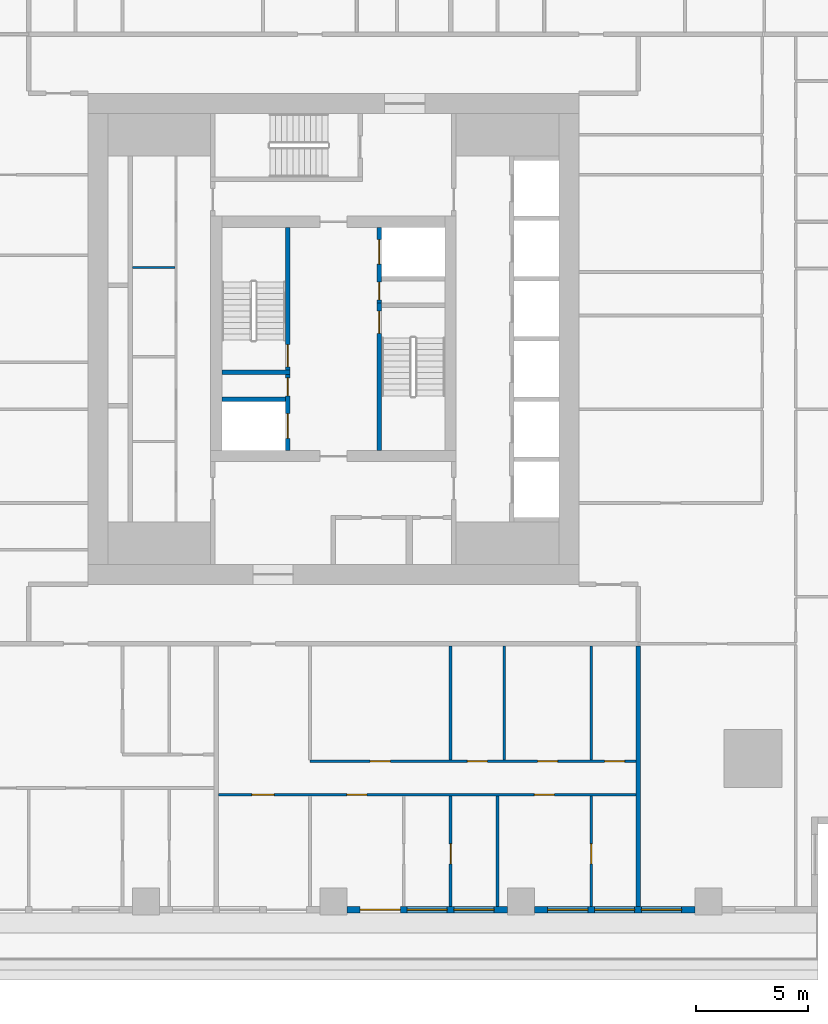
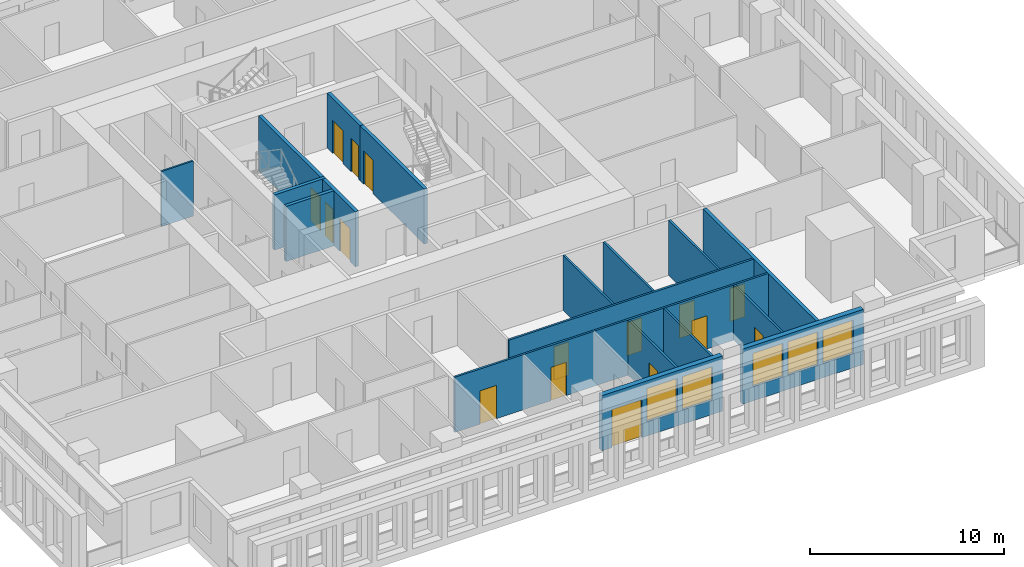
# One storey, part 4 of 15: 18 walls, 16 doors, 5 windows, 21 openings.
"""IFC4 building model written with IfcOpenShell, lengths in metres."""

from ifc_helpers import new_model, si_unit, direction, frame, frame_2d, origin, place, context, subcontext, project, spatial, rectangle, extrude, material, layer, layer_set, type_object, element, fill, save


model = new_model("IFC4")

# Units and contexts
model_context = context("Model", 3, precision=1e-05, world=origin(), true_north=direction((0.0, 1.0)))
body_context = subcontext(model_context, "Body", "Model", "MODEL_VIEW")
ifc_project = project(units=[si_unit("LENGTHUNIT", "METRE"), si_unit("AREAUNIT", "SQUARE_METRE"), si_unit("VOLUMEUNIT", "CUBIC_METRE"), si_unit("PLANEANGLEUNIT", "RADIAN"), si_unit("MASSUNIT", "GRAM", prefix="KILO")], contexts=[model_context])

# Site, building, storey
site_placement = place(None, origin())
site = spatial("IfcSite", under=ifc_project, at=site_placement, CompositionType="ELEMENT")
building_placement = place(site_placement, origin())
building = spatial("IfcBuilding", under=site, at=building_placement, Name="Khepri Terraces", CompositionType="ELEMENT")
storey_placement = place(building_placement, frame((0.0, 0.0, 165.0)))
storey = spatial("IfcBuildingStorey", under=building, at=storey_placement, Name="L39", CompositionType="ELEMENT", Elevation=165.0)

# Wall, opening, door
ifc_material_1 = material(Name="Concrete C60/75", Category="concrete")
ifc_layer_1 = layer(ifc_material_1, 0.199951171875, Name="Concrete C60/75", Category="concrete")
ifc_layer_set_1 = layer_set([ifc_layer_1], Name="Concrete C60/75")
wall_type_1 = type_object("IfcWallType", Name="Core wall 200 C60/75", PredefinedType="SHEAR", material=ifc_layer_set_1)
wall_1_placement = place(storey_placement, frame((2.050048828125, -5.0, 0.0), z_axis=(0.0, 0.0, 1.0), x_axis=(0.0, 1.0, 0.0)))
wall_1 = element("IfcWall", 1, at=wall_1_placement, inside=storey, type_object=wall_type_1, Name="Core wall ST01 L39", PredefinedType="SHEAR", context=body_context, shape_type="SweptSolid", body=[
    extrude(rectangle(XDim=6.60009765625, YDim=0.199951171875, at=frame_2d((3.300048828125, 0.0))), origin(), (0.0, 0.0, 1.0), 3.47998046875),
])
opening_1_placement = place(wall_1_placement, frame((5.25, 0.0, 0.0)))
opening_1 = element("IfcOpeningElement", 2, at=opening_1_placement, cuts=wall_1, Name="Opening L39-C10", PredefinedType="OPENING", context=body_context, shape_type="SweptSolid", body=[
    extrude(rectangle(XDim=1.0, YDim=2.10009765625, at=frame_2d((0.5, 1.050048828125))), frame((0.0, 0.10986328125, 0.0), z_axis=(0.0, -1.0, 0.0), x_axis=(1.0, 0.0, 0.0)), (0.0, 0.0, 1.0), 0.219970703125),
])
ifc_material_2 = material(Name="Painted steel", Category="steel")
door_type_1 = type_object("IfcDoorType", Name="DR-CORE-STAIR-1000", OperationType="NOTDEFINED", PredefinedType="DOOR", material=ifc_material_2)
door_1_placement = place(opening_1_placement, frame((1.0, 0.0, 0.0), z_axis=(0.0, 0.0, 1.0), x_axis=(-1.0, 0.0, 0.0)))
door_1 = element("IfcDoor", 3, at=door_1_placement, inside=storey, type_object=door_type_1, Name="Stair door L39-C10", OperationType="SINGLE_SWING_LEFT", OverallHeight=2.10009765625, OverallWidth=1.0, PredefinedType="DOOR", context=body_context, shape_type="SweptSolid", body=[
    extrude(rectangle(XDim=1.0, YDim=2.10009765625, at=frame_2d((0.5, 1.050048828125))), frame((0.0, 0.02490234375, 0.0), z_axis=(0.0, -1.0, 0.0), x_axis=(1.0, 0.0, 0.0)), (0.0, 0.0, 1.0), 0.050048828125),
])
fill(opening_1, door_1)

# Wall
wall_2_placement = place(storey_placement, frame((-5.0, -1.5, 0.0), z_axis=(0.0, 0.0, 1.0), x_axis=(1.0, 0.0, 0.0)))
element("IfcWall", 4, at=wall_2_placement, inside=storey, type_object=wall_type_1, Name="Core wall ST02 L39", PredefinedType="SHEAR", context=body_context, shape_type="SweptSolid", body=[
    extrude(rectangle(XDim=3.050048828125, YDim=0.199951171875, at=frame_2d((1.52490234375, 0.0))), origin(), (0.0, 0.0, 1.0), 3.47998046875),
])

# Wall, opening, door
wall_3_placement = place(storey_placement, frame((-2.050048828125, -1.39990234375, 0.0), z_axis=(0.0, 0.0, 1.0), x_axis=(0.0, 1.0, 0.0)))
wall_3 = element("IfcWall", 5, at=wall_3_placement, inside=storey, type_object=wall_type_1, Name="Core wall ST03 L39", PredefinedType="SHEAR", context=body_context, shape_type="SweptSolid", body=[
    extrude(rectangle(XDim=6.39990234375, YDim=0.199951171875, at=frame_2d((3.199951171875, 0.0))), origin(), (0.0, 0.0, 1.0), 3.47998046875),
])
opening_2_placement = place(wall_3_placement, frame((0.14990234375, 0.0, 0.0)))
opening_2 = element("IfcOpeningElement", 6, at=opening_2_placement, cuts=wall_3, Name="Opening L39-C09", PredefinedType="OPENING", context=body_context, shape_type="SweptSolid", body=[
    extrude(rectangle(XDim=1.0, YDim=2.10009765625, at=frame_2d((0.5, 1.050048828125))), frame((0.0, 0.10986328125, 0.0), z_axis=(0.0, -1.0, 0.0), x_axis=(1.0, 0.0, 0.0)), (0.0, 0.0, 1.0), 0.219970703125),
])
door_2_placement = place(opening_2_placement, origin())
door_2 = element("IfcDoor", 7, at=door_2_placement, inside=storey, type_object=door_type_1, Name="Stair door L39-C09", OperationType="SINGLE_SWING_LEFT", OverallHeight=2.10009765625, OverallWidth=1.0, PredefinedType="DOOR", context=body_context, shape_type="SweptSolid", body=[
    extrude(rectangle(XDim=1.0, YDim=2.10009765625, at=frame_2d((0.5, 1.050048828125))), frame((0.0, 0.02490234375, 0.0), z_axis=(0.0, -1.0, 0.0), x_axis=(1.0, 0.0, 0.0)), (0.0, 0.0, 1.0), 0.050048828125),
])
fill(opening_2, door_2)

# Wall, openings, doors
wall_4_placement = place(storey_placement, frame((-2.050048828125, -5.0, 0.0), z_axis=(0.0, 0.0, 1.0), x_axis=(0.0, 1.0, 0.0)))
wall_4 = element("IfcWall", 8, at=wall_4_placement, inside=storey, type_object=wall_type_1, Name="Core wall SH05 L39", PredefinedType="SHEAR", context=body_context, shape_type="SweptSolid", body=[
    extrude(rectangle(XDim=3.39990234375, YDim=0.199951171875, at=frame_2d((1.699951171875, 0.0))), origin(), (0.0, 0.0, 1.0), 3.47998046875),
])
opening_3_placement = place(wall_4_placement, frame((0.550048828125, 0.0, 0.0)))
opening_3 = element("IfcOpeningElement", 9, at=opening_3_placement, cuts=wall_4, Name="Opening L39-C08", PredefinedType="OPENING", context=body_context, shape_type="SweptSolid", body=[
    extrude(rectangle(XDim=1.10009765625, YDim=2.10009765625, at=frame_2d((0.550048828125, 1.050048828125))), frame((0.0, 0.10986328125, 0.0), z_axis=(0.0, -1.0, 0.0), x_axis=(1.0, 0.0, 0.0)), (0.0, 0.0, 1.0), 0.219970703125),
])
opening_4_placement = place(wall_4_placement, frame((2.449951171875, 0.0, 0.0)))
opening_4 = element("IfcOpeningElement", 10, at=opening_4_placement, cuts=wall_4, Name="Opening L39-C12", PredefinedType="OPENING", context=body_context, shape_type="SweptSolid", body=[
    extrude(rectangle(XDim=0.800048828125, YDim=2.10009765625, at=frame_2d((0.39990234375, 1.050048828125))), frame((0.0, 0.10986328125, 0.0), z_axis=(0.0, -1.0, 0.0), x_axis=(1.0, 0.0, 0.0)), (0.0, 0.0, 1.0), 0.219970703125),
])
ifc_material_3 = material(Name="Stainless steel 304", Category="steel")
door_type_2 = type_object("IfcDoorType", Name="DR-CORE-FF-LANDING-1100", OperationType="NOTDEFINED", PredefinedType="DOOR", material=ifc_material_3)
door_3_placement = place(opening_3_placement, origin())
door_3 = element("IfcDoor", 11, at=door_3_placement, inside=storey, type_object=door_type_2, Name="Firefighting lift landing door L39-C08", OperationType="SLIDING_TO_LEFT", OverallHeight=2.10009765625, OverallWidth=1.10009765625, PredefinedType="DOOR", context=body_context, shape_type="SweptSolid", body=[
    extrude(rectangle(XDim=1.10009765625, YDim=2.10009765625, at=frame_2d((0.550048828125, 1.050048828125))), frame((0.0, 0.02490234375, 0.0), z_axis=(0.0, -1.0, 0.0), x_axis=(1.0, 0.0, 0.0)), (0.0, 0.0, 1.0), 0.050048828125),
])
fill(opening_3, door_3)
door_type_3 = type_object("IfcDoorType", Name="DR-CORE-RISER-800", OperationType="NOTDEFINED", PredefinedType="DOOR", material=ifc_material_2)
door_4_placement = place(opening_4_placement, origin())
door_4 = element("IfcDoor", 12, at=door_4_placement, inside=storey, type_object=door_type_3, Name="Riser door L39-C12", OperationType="SINGLE_SWING_RIGHT", OverallHeight=2.10009765625, OverallWidth=0.800048828125, PredefinedType="DOOR", context=body_context, shape_type="SweptSolid", body=[
    extrude(rectangle(XDim=0.800048828125, YDim=2.10009765625, at=frame_2d((0.39990234375, 1.050048828125))), frame((0.0, 0.02490234375, 0.0), z_axis=(0.0, -1.0, 0.0), x_axis=(1.0, 0.0, 0.0)), (0.0, 0.0, 1.0), 0.050048828125),
])
fill(opening_4, door_4)

# Wall
wall_5_placement = place(storey_placement, frame((-5.0, -2.699951171875, 0.0), z_axis=(0.0, 0.0, 1.0), x_axis=(1.0, 0.0, 0.0)))
element("IfcWall", 13, at=wall_5_placement, inside=storey, type_object=wall_type_1, Name="Core wall SH07 L39", PredefinedType="SHEAR", context=body_context, shape_type="SweptSolid", body=[
    extrude(rectangle(XDim=2.85009765625, YDim=0.199951171875, at=frame_2d((1.425048828125, 0.0))), origin(), (0.0, 0.0, 1.0), 3.47998046875),
])

# Wall, openings, doors
wall_6_placement = place(storey_placement, frame((2.050048828125, 1.60009765625, 0.0), z_axis=(0.0, 0.0, 1.0), x_axis=(0.0, 1.0, 0.0)))
wall_6 = element("IfcWall", 14, at=wall_6_placement, inside=storey, type_object=wall_type_1, Name="Core wall SH10 L39", PredefinedType="SHEAR", context=body_context, shape_type="SweptSolid", body=[
    extrude(rectangle(XDim=3.39990234375, YDim=0.199951171875, at=frame_2d((1.699951171875, 0.0))), origin(), (0.0, 0.0, 1.0), 3.47998046875),
])
opening_5_placement = place(wall_6_placement, frame((1.75, 0.0, 0.0)))
opening_5 = element("IfcOpeningElement", 15, at=opening_5_placement, cuts=wall_6, Name="Opening L39-C07", PredefinedType="OPENING", context=body_context, shape_type="SweptSolid", body=[
    extrude(rectangle(XDim=1.10009765625, YDim=2.10009765625, at=frame_2d((0.550048828125, 1.050048828125))), frame((0.0, 0.10986328125, 0.0), z_axis=(0.0, -1.0, 0.0), x_axis=(1.0, 0.0, 0.0)), (0.0, 0.0, 1.0), 0.219970703125),
])
opening_6_placement = place(wall_6_placement, frame((0.14990234375, 0.0, 0.0)))
opening_6 = element("IfcOpeningElement", 16, at=opening_6_placement, cuts=wall_6, Name="Opening L39-C11", PredefinedType="OPENING", context=body_context, shape_type="SweptSolid", body=[
    extrude(rectangle(XDim=0.800048828125, YDim=2.10009765625, at=frame_2d((0.39990234375, 1.050048828125))), frame((0.0, 0.10986328125, 0.0), z_axis=(0.0, -1.0, 0.0), x_axis=(1.0, 0.0, 0.0)), (0.0, 0.0, 1.0), 0.219970703125),
])
door_5_placement = place(opening_5_placement, origin())
door_5 = element("IfcDoor", 17, at=door_5_placement, inside=storey, type_object=door_type_2, Name="Firefighting lift landing door L39-C07", OperationType="SLIDING_TO_LEFT", OverallHeight=2.10009765625, OverallWidth=1.10009765625, PredefinedType="DOOR", context=body_context, shape_type="SweptSolid", body=[
    extrude(rectangle(XDim=1.10009765625, YDim=2.10009765625, at=frame_2d((0.550048828125, 1.050048828125))), frame((0.0, 0.02490234375, 0.0), z_axis=(0.0, -1.0, 0.0), x_axis=(1.0, 0.0, 0.0)), (0.0, 0.0, 1.0), 0.050048828125),
])
fill(opening_5, door_5)
door_6_placement = place(opening_6_placement, frame((0.800048828125, 0.0, 0.0), z_axis=(0.0, 0.0, 1.0), x_axis=(-1.0, 0.0, 0.0)))
door_6 = element("IfcDoor", 18, at=door_6_placement, inside=storey, type_object=door_type_3, Name="Riser door L39-C11", OperationType="SINGLE_SWING_RIGHT", OverallHeight=2.10009765625, OverallWidth=0.800048828125, PredefinedType="DOOR", context=body_context, shape_type="SweptSolid", body=[
    extrude(rectangle(XDim=0.800048828125, YDim=2.10009765625, at=frame_2d((0.39990234375, 1.050048828125))), frame((0.0, 0.02490234375, 0.0), z_axis=(0.0, -1.0, 0.0), x_axis=(1.0, 0.0, 0.0)), (0.0, 0.0, 1.0), 0.050048828125),
])
fill(opening_6, door_6)

# Walls
ifc_material_4 = material(Name="Fire-rated gypsum board partition")
ifc_layer_2 = layer(ifc_material_4, 0.10009765625, Name="Fire-rated gypsum board partition")
ifc_layer_set_2 = layer_set([ifc_layer_2], Name="Fire-rated gypsum board partition")
wall_type_2 = type_object("IfcWallType", Name="WL-CORE-PART-100", PredefinedType="PARTITIONING", material=ifc_layer_set_2)
wall_7_placement = place(storey_placement, frame((-9.0, 3.199951171875, 0.0), z_axis=(0.0, 0.0, 1.0), x_axis=(1.0, 0.0, 0.0)))
element("IfcWall", 19, at=wall_7_placement, inside=storey, type_object=wall_type_2, Name="Core partition PT10 L39", PredefinedType="PARTITIONING", context=body_context, shape_type="SweptSolid", body=[
    extrude(rectangle(XDim=1.89990234375, YDim=0.10009765625, at=frame_2d((0.949951171875, 0.0))), origin(), (0.0, 0.0, 1.0), 3.47998046875),
])
ifc_material_5 = material(Name="Fire-rated gypsum plasterboard partition, mineral wool")
ifc_layer_3 = layer(ifc_material_5, 0.199951171875, Name="Fire-rated gypsum plasterboard partition, mineral wool")
ifc_layer_set_3 = layer_set([ifc_layer_3], Name="Fire-rated gypsum plasterboard partition, mineral wool")
wall_type_3 = type_object("IfcWallType", Name="WL-CORR-200", PredefinedType="PARTITIONING", material=ifc_layer_set_3)
wall_8_placement = place(storey_placement, frame((13.64990234375, -25.419921875, 0.0), z_axis=(0.0, 0.0, 1.0), x_axis=(0.0, 1.0, 0.0)))
element("IfcWall", 20, at=wall_8_placement, inside=storey, type_object=wall_type_3, Name="Partition P-010 L39", PredefinedType="PARTITIONING", context=body_context, shape_type="SweptSolid", body=[
    extrude(rectangle(XDim=11.669921875, YDim=0.199951171875, at=frame_2d((5.8349609375, 0.0))), origin(), (0.0, 0.0, 1.0), 3.47998046875),
])

# Wall, openings, door, windows
ifc_material_6 = material(Name="Precast concrete C50/60 warm stone", Category="masonry")
ifc_layer_4 = layer(ifc_material_6, 0.300048828125, Name="Precast concrete C50/60 warm stone", Category="masonry")
ifc_layer_set_4 = layer_set([ifc_layer_4], Name="Precast concrete C50/60 warm stone")
wall_type_4 = type_object("IfcWallType", Name="WL-EXT-PRECAST-300", PredefinedType="STANDARD", material=ifc_layer_set_4)
wall_9_placement = place(storey_placement, frame((0.60009765625, -25.570068359375, 0.0), z_axis=(0.0, 0.0, 1.0), x_axis=(1.0, 0.0, 0.0)))
wall_9 = element("IfcWall", 21, at=wall_9_placement, inside=storey, type_object=wall_type_4, Name="External wall L39 S", PredefinedType="STANDARD", context=body_context, shape_type="SweptSolid", body=[
    extrude(rectangle(XDim=7.199951171875, YDim=0.300048828125, at=frame_2d((3.60009765625, 0.0))), origin(), (0.0, 0.0, 1.0), 3.47998046875),
])
opening_7_placement = place(wall_9_placement, frame((0.60009765625, 0.0, 0.0)))
opening_7 = element("IfcOpeningElement", 22, at=opening_7_placement, cuts=wall_9, Name="Opening ED-L39-23", PredefinedType="OPENING", context=body_context, shape_type="SweptSolid", body=[
    extrude(rectangle(XDim=1.800048828125, YDim=2.39990234375, at=frame_2d((0.89990234375, 1.199951171875))), frame((0.0, 0.16015625, 0.0), z_axis=(0.0, -1.0, 0.0), x_axis=(1.0, 0.0, 0.0)), (0.0, 0.0, 1.0), 0.320068359375),
])
opening_8_placement = place(wall_9_placement, frame((2.699951171875, 0.0, 0.89990234375)))
opening_8 = element("IfcOpeningElement", 23, at=opening_8_placement, cuts=wall_9, Name="Opening W1", PredefinedType="OPENING", context=body_context, shape_type="SweptSolid", body=[
    extrude(rectangle(XDim=1.800048828125, YDim=2.10009765625, at=frame_2d((0.89990234375, 1.050048828125))), frame((0.0, 0.16015625, 0.0), z_axis=(0.0, -1.0, 0.0), x_axis=(1.0, 0.0, 0.0)), (0.0, 0.0, 1.0), 0.320068359375),
])
opening_9_placement = place(wall_9_placement, frame((4.800048828125, 0.0, 0.89990234375)))
opening_9 = element("IfcOpeningElement", 24, at=opening_9_placement, cuts=wall_9, Name="Opening W1", PredefinedType="OPENING", context=body_context, shape_type="SweptSolid", body=[
    extrude(rectangle(XDim=1.800048828125, YDim=2.10009765625, at=frame_2d((0.89990234375, 1.050048828125))), frame((0.0, 0.16015625, 0.0), z_axis=(0.0, -1.0, 0.0), x_axis=(1.0, 0.0, 0.0)), (0.0, 0.0, 1.0), 0.320068359375),
])
ifc_material_7 = material(Name="Anodised aluminium bronze glazed door", Category="aluminium")
door_type_4 = type_object("IfcDoorType", Name="DR-BAL-SLIDE-1800x2400", OperationType="NOTDEFINED", PredefinedType="DOOR", material=ifc_material_7)
door_7_placement = place(opening_7_placement, origin())
door_7 = element("IfcDoor", 25, at=door_7_placement, inside=storey, type_object=door_type_4, Name="Balcony door L39 S", OperationType="SLIDING_TO_LEFT", OverallHeight=2.39990234375, OverallWidth=1.800048828125, PredefinedType="DOOR", context=body_context, shape_type="SweptSolid", body=[
    extrude(rectangle(XDim=1.800048828125, YDim=2.39990234375, at=frame_2d((0.89990234375, 1.199951171875))), frame((0.0, 0.02490234375, 0.0), z_axis=(0.0, -1.0, 0.0), x_axis=(1.0, 0.0, 0.0)), (0.0, 0.0, 1.0), 0.050048828125),
])
fill(opening_7, door_7)
ifc_material_8 = material(Name="Clear glass", Category="glass")
window_type = type_object("IfcWindowType", Name="WIN-RES-1800x2100", PartitioningType="SINGLE_PANEL", PredefinedType="WINDOW", material=ifc_material_8)
window_1_placement = place(opening_8_placement, origin())
window_1 = element("IfcWindow", 26, at=window_1_placement, inside=storey, type_object=window_type, Name="Window L39 S", OverallHeight=2.10009765625, OverallWidth=1.800048828125, PartitioningType="SINGLE_PANEL", PredefinedType="WINDOW", context=body_context, shape_type="SweptSolid", body=[
    extrude(rectangle(XDim=1.800048828125, YDim=2.10009765625, at=frame_2d((0.89990234375, 1.050048828125))), frame((0.0, 0.030029296875, 0.0), z_axis=(0.0, -1.0, 0.0), x_axis=(1.0, 0.0, 0.0)), (0.0, 0.0, 1.0), 0.06005859375),
])
fill(opening_8, window_1)
window_2_placement = place(opening_9_placement, origin())
window_2 = element("IfcWindow", 27, at=window_2_placement, inside=storey, type_object=window_type, Name="Window L39 S", OverallHeight=2.10009765625, OverallWidth=1.800048828125, PartitioningType="SINGLE_PANEL", PredefinedType="WINDOW", context=body_context, shape_type="SweptSolid", body=[
    extrude(rectangle(XDim=1.800048828125, YDim=2.10009765625, at=frame_2d((0.89990234375, 1.050048828125))), frame((0.0, 0.030029296875, 0.0), z_axis=(0.0, -1.0, 0.0), x_axis=(1.0, 0.0, 0.0)), (0.0, 0.0, 1.0), 0.06005859375),
])
fill(opening_9, window_2)

# Wall, openings, windows
wall_10_placement = place(storey_placement, frame((9.0, -25.570068359375, 0.0), z_axis=(0.0, 0.0, 1.0), x_axis=(1.0, 0.0, 0.0)))
wall_10 = element("IfcWall", 28, at=wall_10_placement, inside=storey, type_object=wall_type_4, Name="External wall L39 S", PredefinedType="STANDARD", context=body_context, shape_type="SweptSolid", body=[
    extrude(rectangle(XDim=7.199951171875, YDim=0.300048828125, at=frame_2d((3.60009765625, 0.0))), origin(), (0.0, 0.0, 1.0), 3.47998046875),
])
opening_10_placement = place(wall_10_placement, frame((0.60009765625, 0.0, 0.89990234375)))
opening_10 = element("IfcOpeningElement", 29, at=opening_10_placement, cuts=wall_10, Name="Opening W1", PredefinedType="OPENING", context=body_context, shape_type="SweptSolid", body=[
    extrude(rectangle(XDim=1.800048828125, YDim=2.10009765625, at=frame_2d((0.89990234375, 1.050048828125))), frame((0.0, 0.16015625, 0.0), z_axis=(0.0, -1.0, 0.0), x_axis=(1.0, 0.0, 0.0)), (0.0, 0.0, 1.0), 0.320068359375),
])
opening_11_placement = place(wall_10_placement, frame((2.699951171875, 0.0, 0.89990234375)))
opening_11 = element("IfcOpeningElement", 30, at=opening_11_placement, cuts=wall_10, Name="Opening W1", PredefinedType="OPENING", context=body_context, shape_type="SweptSolid", body=[
    extrude(rectangle(XDim=1.800048828125, YDim=2.10009765625, at=frame_2d((0.89990234375, 1.050048828125))), frame((0.0, 0.16015625, 0.0), z_axis=(0.0, -1.0, 0.0), x_axis=(1.0, 0.0, 0.0)), (0.0, 0.0, 1.0), 0.320068359375),
])
opening_12_placement = place(wall_10_placement, frame((4.800048828125, 0.0, 0.89990234375)))
opening_12 = element("IfcOpeningElement", 31, at=opening_12_placement, cuts=wall_10, Name="Opening W1", PredefinedType="OPENING", context=body_context, shape_type="SweptSolid", body=[
    extrude(rectangle(XDim=1.800048828125, YDim=2.10009765625, at=frame_2d((0.89990234375, 1.050048828125))), frame((0.0, 0.16015625, 0.0), z_axis=(0.0, -1.0, 0.0), x_axis=(1.0, 0.0, 0.0)), (0.0, 0.0, 1.0), 0.320068359375),
])
window_3_placement = place(opening_10_placement, origin())
window_3 = element("IfcWindow", 32, at=window_3_placement, inside=storey, type_object=window_type, Name="Window L39 S", OverallHeight=2.10009765625, OverallWidth=1.800048828125, PartitioningType="SINGLE_PANEL", PredefinedType="WINDOW", context=body_context, shape_type="SweptSolid", body=[
    extrude(rectangle(XDim=1.800048828125, YDim=2.10009765625, at=frame_2d((0.89990234375, 1.050048828125))), frame((0.0, 0.030029296875, 0.0), z_axis=(0.0, -1.0, 0.0), x_axis=(1.0, 0.0, 0.0)), (0.0, 0.0, 1.0), 0.06005859375),
])
fill(opening_10, window_3)
window_4_placement = place(opening_11_placement, origin())
window_4 = element("IfcWindow", 33, at=window_4_placement, inside=storey, type_object=window_type, Name="Window L39 S", OverallHeight=2.10009765625, OverallWidth=1.800048828125, PartitioningType="SINGLE_PANEL", PredefinedType="WINDOW", context=body_context, shape_type="SweptSolid", body=[
    extrude(rectangle(XDim=1.800048828125, YDim=2.10009765625, at=frame_2d((0.89990234375, 1.050048828125))), frame((0.0, 0.030029296875, 0.0), z_axis=(0.0, -1.0, 0.0), x_axis=(1.0, 0.0, 0.0)), (0.0, 0.0, 1.0), 0.06005859375),
])
fill(opening_11, window_4)
window_5_placement = place(opening_12_placement, origin())
window_5 = element("IfcWindow", 34, at=window_5_placement, inside=storey, type_object=window_type, Name="Window L39 S", OverallHeight=2.10009765625, OverallWidth=1.800048828125, PartitioningType="SINGLE_PANEL", PredefinedType="WINDOW", context=body_context, shape_type="SweptSolid", body=[
    extrude(rectangle(XDim=1.800048828125, YDim=2.10009765625, at=frame_2d((0.89990234375, 1.050048828125))), frame((0.0, 0.030029296875, 0.0), z_axis=(0.0, -1.0, 0.0), x_axis=(1.0, 0.0, 0.0)), (0.0, 0.0, 1.0), 0.06005859375),
])
fill(opening_12, window_5)

# Wall, opening, door
ifc_material_9 = material(Name="Gypsum plasterboard partition")
ifc_layer_5 = layer(ifc_material_9, 0.1201171875, Name="Gypsum plasterboard partition")
ifc_layer_set_5 = layer_set([ifc_layer_5], Name="Gypsum plasterboard partition")
wall_type_5 = type_object("IfcWallType", Name="WL-PART-120", PredefinedType="PARTITIONING", material=ifc_layer_set_5)
wall_11_placement = place(storey_placement, frame((5.25, -25.419921875, 0.0), z_axis=(0.0, 0.0, 1.0), x_axis=(0.0, 1.0, 0.0)))
wall_11 = element("IfcWall", 35, at=wall_11_placement, inside=storey, type_object=wall_type_5, Name="Partition P-007 L39", PredefinedType="PARTITIONING", context=body_context, shape_type="SweptSolid", body=[
    extrude(rectangle(XDim=4.93994140625, YDim=0.1201171875, at=frame_2d((2.469970703125, 0.0))), origin(), (0.0, 0.0, 1.0), 3.47998046875),
])
opening_13_placement = place(wall_11_placement, frame((1.89990234375, 0.0, 0.0)))
opening_13 = element("IfcOpeningElement", 36, at=opening_13_placement, cuts=wall_11, Name="Opening D4", PredefinedType="OPENING", context=body_context, shape_type="SweptSolid", body=[
    extrude(rectangle(XDim=0.89990234375, YDim=2.10009765625, at=frame_2d((0.449951171875, 1.050048828125))), frame((0.0, 0.070068359375, 0.0), z_axis=(0.0, -1.0, 0.0), x_axis=(1.0, 0.0, 0.0)), (0.0, 0.0, 1.0), 0.14013671875),
])
ifc_material_10 = material(Name="Timber door leaf, moisture resistant", Category="wood")
door_type_5 = type_object("IfcDoorType", Name="DR-WET-900", OperationType="NOTDEFINED", PredefinedType="DOOR", material=ifc_material_10)
door_8_placement = place(opening_13_placement, frame((0.89990234375, 0.0, 0.0), z_axis=(0.0, 0.0, 1.0), x_axis=(-1.0, 0.0, 0.0)))
door_8 = element("IfcDoor", 37, at=door_8_placement, inside=storey, type_object=door_type_5, Name="Door Bathroom", OperationType="SINGLE_SWING_RIGHT", OverallHeight=2.10009765625, OverallWidth=0.89990234375, PredefinedType="DOOR", context=body_context, shape_type="SweptSolid", body=[
    extrude(rectangle(XDim=0.89990234375, YDim=2.10009765625, at=frame_2d((0.449951171875, 1.050048828125))), frame((0.0, 0.02490234375, 0.0), z_axis=(0.0, -1.0, 0.0), x_axis=(1.0, 0.0, 0.0)), (0.0, 0.0, 1.0), 0.050048828125),
])
fill(opening_13, door_8)

# Wall
wall_12_placement = place(storey_placement, frame((7.35009765625, -25.419921875, 0.0), z_axis=(0.0, 0.0, 1.0), x_axis=(0.0, 1.0, 0.0)))
element("IfcWall", 38, at=wall_12_placement, inside=storey, type_object=wall_type_5, Name="Partition P-008 L39", PredefinedType="PARTITIONING", context=body_context, shape_type="SweptSolid", body=[
    extrude(rectangle(XDim=4.93994140625, YDim=0.1201171875, at=frame_2d((2.469970703125, 0.0))), origin(), (0.0, 0.0, 1.0), 3.47998046875),
])

# Wall, opening, door
wall_13_placement = place(storey_placement, frame((11.550048828125, -25.419921875, 0.0), z_axis=(0.0, 0.0, 1.0), x_axis=(0.0, 1.0, 0.0)))
wall_13 = element("IfcWall", 39, at=wall_13_placement, inside=storey, type_object=wall_type_5, Name="Partition P-009 L39", PredefinedType="PARTITIONING", context=body_context, shape_type="SweptSolid", body=[
    extrude(rectangle(XDim=4.93994140625, YDim=0.1201171875, at=frame_2d((2.469970703125, 0.0))), origin(), (0.0, 0.0, 1.0), 3.47998046875),
])
opening_14_placement = place(wall_13_placement, frame((1.89990234375, 0.0, 0.0)))
opening_14 = element("IfcOpeningElement", 40, at=opening_14_placement, cuts=wall_13, Name="Opening D4", PredefinedType="OPENING", context=body_context, shape_type="SweptSolid", body=[
    extrude(rectangle(XDim=0.89990234375, YDim=2.10009765625, at=frame_2d((0.449951171875, 1.050048828125))), frame((0.0, 0.070068359375, 0.0), z_axis=(0.0, -1.0, 0.0), x_axis=(1.0, 0.0, 0.0)), (0.0, 0.0, 1.0), 0.14013671875),
])
door_9_placement = place(opening_14_placement, frame((0.89990234375, 0.0, 0.0), z_axis=(0.0, 0.0, 1.0), x_axis=(-1.0, 0.0, 0.0)))
door_9 = element("IfcDoor", 41, at=door_9_placement, inside=storey, type_object=door_type_5, Name="Door Bathroom", OperationType="SINGLE_SWING_RIGHT", OverallHeight=2.10009765625, OverallWidth=0.89990234375, PredefinedType="DOOR", context=body_context, shape_type="SweptSolid", body=[
    extrude(rectangle(XDim=0.89990234375, YDim=2.10009765625, at=frame_2d((0.449951171875, 1.050048828125))), frame((0.0, 0.02490234375, 0.0), z_axis=(0.0, -1.0, 0.0), x_axis=(1.0, 0.0, 0.0)), (0.0, 0.0, 1.0), 0.050048828125),
])
fill(opening_14, door_9)

# Wall, openings, doors
wall_14_placement = place(storey_placement, frame((-5.14990234375, -20.419921875, 0.0), z_axis=(0.0, 0.0, 1.0), x_axis=(1.0, 0.0, 0.0)))
wall_14 = element("IfcWall", 42, at=wall_14_placement, inside=storey, type_object=wall_type_5, Name="Partition P-012 L39", PredefinedType="PARTITIONING", context=body_context, shape_type="SweptSolid", body=[
    extrude(rectangle(XDim=18.699951171875, YDim=0.1201171875, at=frame_2d((9.35009765625, 0.0))), origin(), (0.0, 0.0, 1.0), 3.47998046875),
])
opening_15_placement = place(wall_14_placement, frame((1.5, 0.0, 0.0)))
opening_15 = element("IfcOpeningElement", 43, at=opening_15_placement, cuts=wall_14, Name="Opening D2", PredefinedType="OPENING", context=body_context, shape_type="SweptSolid", body=[
    extrude(rectangle(XDim=1.0, YDim=2.10009765625, at=frame_2d((0.5, 1.050048828125))), frame((0.0, 0.070068359375, 0.0), z_axis=(0.0, -1.0, 0.0), x_axis=(1.0, 0.0, 0.0)), (0.0, 0.0, 1.0), 0.14013671875),
])
opening_16_placement = place(wall_14_placement, frame((5.75, 0.0, 0.0)))
opening_16 = element("IfcOpeningElement", 44, at=opening_16_placement, cuts=wall_14, Name="Opening D3", PredefinedType="OPENING", context=body_context, shape_type="SweptSolid", body=[
    extrude(rectangle(XDim=0.89990234375, YDim=2.10009765625, at=frame_2d((0.449951171875, 1.050048828125))), frame((0.0, 0.070068359375, 0.0), z_axis=(0.0, -1.0, 0.0), x_axis=(1.0, 0.0, 0.0)), (0.0, 0.0, 1.0), 0.14013671875),
])
opening_17_placement = place(wall_14_placement, frame((14.14990234375, 0.0, 0.0)))
opening_17 = element("IfcOpeningElement", 45, at=opening_17_placement, cuts=wall_14, Name="Opening D3", PredefinedType="OPENING", context=body_context, shape_type="SweptSolid", body=[
    extrude(rectangle(XDim=0.89990234375, YDim=2.10009765625, at=frame_2d((0.449951171875, 1.050048828125))), frame((0.0, 0.070068359375, 0.0), z_axis=(0.0, -1.0, 0.0), x_axis=(1.0, 0.0, 0.0)), (0.0, 0.0, 1.0), 0.14013671875),
])
ifc_material_11 = material(Name="Timber door leaf, living room door", Category="wood")
door_type_6 = type_object("IfcDoorType", Name="DR-INT-1000", OperationType="NOTDEFINED", PredefinedType="DOOR", material=ifc_material_11)
door_10_placement = place(opening_15_placement, frame((1.0, 0.0, 0.0), z_axis=(0.0, 0.0, 1.0), x_axis=(-1.0, 0.0, 0.0)))
door_10 = element("IfcDoor", 46, at=door_10_placement, inside=storey, type_object=door_type_6, Name="Door Living Room", OperationType="SINGLE_SWING_RIGHT", OverallHeight=2.10009765625, OverallWidth=1.0, PredefinedType="DOOR", context=body_context, shape_type="SweptSolid", body=[
    extrude(rectangle(XDim=1.0, YDim=2.10009765625, at=frame_2d((0.5, 1.050048828125))), frame((0.0, 0.02490234375, 0.0), z_axis=(0.0, -1.0, 0.0), x_axis=(1.0, 0.0, 0.0)), (0.0, 0.0, 1.0), 0.050048828125),
])
fill(opening_15, door_10)
ifc_material_12 = material(Name="Timber door leaf", Category="wood")
door_type_7 = type_object("IfcDoorType", Name="DR-INT-900", OperationType="NOTDEFINED", PredefinedType="DOOR", material=ifc_material_12)
door_11_placement = place(opening_16_placement, frame((0.89990234375, 0.0, 0.0), z_axis=(0.0, 0.0, 1.0), x_axis=(-1.0, 0.0, 0.0)))
door_11 = element("IfcDoor", 47, at=door_11_placement, inside=storey, type_object=door_type_7, Name="Door Master Bedroom", OperationType="SINGLE_SWING_RIGHT", OverallHeight=2.10009765625, OverallWidth=0.89990234375, PredefinedType="DOOR", context=body_context, shape_type="SweptSolid", body=[
    extrude(rectangle(XDim=0.89990234375, YDim=2.10009765625, at=frame_2d((0.449951171875, 1.050048828125))), frame((0.0, 0.02490234375, 0.0), z_axis=(0.0, -1.0, 0.0), x_axis=(1.0, 0.0, 0.0)), (0.0, 0.0, 1.0), 0.050048828125),
])
fill(opening_16, door_11)
door_12_placement = place(opening_17_placement, frame((0.89990234375, 0.0, 0.0), z_axis=(0.0, 0.0, 1.0), x_axis=(-1.0, 0.0, 0.0)))
door_12 = element("IfcDoor", 48, at=door_12_placement, inside=storey, type_object=door_type_7, Name="Door Bedroom", OperationType="SINGLE_SWING_LEFT", OverallHeight=2.10009765625, OverallWidth=0.89990234375, PredefinedType="DOOR", context=body_context, shape_type="SweptSolid", body=[
    extrude(rectangle(XDim=0.89990234375, YDim=2.10009765625, at=frame_2d((0.449951171875, 1.050048828125))), frame((0.0, 0.02490234375, 0.0), z_axis=(0.0, -1.0, 0.0), x_axis=(1.0, 0.0, 0.0)), (0.0, 0.0, 1.0), 0.050048828125),
])
fill(opening_17, door_12)

wall_15_placement = place(storey_placement, frame((-1.050048828125, -18.919921875, 0.0), z_axis=(0.0, 0.0, 1.0), x_axis=(1.0, 0.0, 0.0)))
wall_15 = element("IfcWall", 49, at=wall_15_placement, inside=storey, type_object=wall_type_5, Name="Partition P-015 L39", PredefinedType="PARTITIONING", context=body_context, shape_type="SweptSolid", body=[
    extrude(rectangle(XDim=14.60009765625, YDim=0.1201171875, at=frame_2d((7.300048828125, 0.0))), origin(), (0.0, 0.0, 1.0), 3.47998046875),
])
opening_18_placement = place(wall_15_placement, frame((2.699951171875, 0.0, 0.0)))
opening_18 = element("IfcOpeningElement", 50, at=opening_18_placement, cuts=wall_15, Name="Opening D3", PredefinedType="OPENING", context=body_context, shape_type="SweptSolid", body=[
    extrude(rectangle(XDim=0.89990234375, YDim=2.10009765625, at=frame_2d((0.449951171875, 1.050048828125))), frame((0.0, 0.070068359375, 0.0), z_axis=(0.0, -1.0, 0.0), x_axis=(1.0, 0.0, 0.0)), (0.0, 0.0, 1.0), 0.14013671875),
])
opening_19_placement = place(wall_15_placement, frame((7.050048828125, 0.0, 0.0)))
opening_19 = element("IfcOpeningElement", 51, at=opening_19_placement, cuts=wall_15, Name="Opening D4", PredefinedType="OPENING", context=body_context, shape_type="SweptSolid", body=[
    extrude(rectangle(XDim=0.89990234375, YDim=2.10009765625, at=frame_2d((0.449951171875, 1.050048828125))), frame((0.0, 0.070068359375, 0.0), z_axis=(0.0, -1.0, 0.0), x_axis=(1.0, 0.0, 0.0)), (0.0, 0.0, 1.0), 0.14013671875),
])
opening_20_placement = place(wall_15_placement, frame((10.199951171875, 0.0, 0.0)))
opening_20 = element("IfcOpeningElement", 52, at=opening_20_placement, cuts=wall_15, Name="Opening D4", PredefinedType="OPENING", context=body_context, shape_type="SweptSolid", body=[
    extrude(rectangle(XDim=0.89990234375, YDim=2.10009765625, at=frame_2d((0.449951171875, 1.050048828125))), frame((0.0, 0.070068359375, 0.0), z_axis=(0.0, -1.0, 0.0), x_axis=(1.0, 0.0, 0.0)), (0.0, 0.0, 1.0), 0.14013671875),
])
opening_21_placement = place(wall_15_placement, frame((13.199951171875, 0.0, 0.0)))
opening_21 = element("IfcOpeningElement", 53, at=opening_21_placement, cuts=wall_15, Name="Opening D3", PredefinedType="OPENING", context=body_context, shape_type="SweptSolid", body=[
    extrude(rectangle(XDim=0.89990234375, YDim=2.10009765625, at=frame_2d((0.449951171875, 1.050048828125))), frame((0.0, 0.070068359375, 0.0), z_axis=(0.0, -1.0, 0.0), x_axis=(1.0, 0.0, 0.0)), (0.0, 0.0, 1.0), 0.14013671875),
])
door_13_placement = place(opening_18_placement, origin())
door_13 = element("IfcDoor", 54, at=door_13_placement, inside=storey, type_object=door_type_7, Name="Door Kitchen", OperationType="SINGLE_SWING_LEFT", OverallHeight=2.10009765625, OverallWidth=0.89990234375, PredefinedType="DOOR", context=body_context, shape_type="SweptSolid", body=[
    extrude(rectangle(XDim=0.89990234375, YDim=2.10009765625, at=frame_2d((0.449951171875, 1.050048828125))), frame((0.0, 0.02490234375, 0.0), z_axis=(0.0, -1.0, 0.0), x_axis=(1.0, 0.0, 0.0)), (0.0, 0.0, 1.0), 0.050048828125),
])
fill(opening_18, door_13)
door_14_placement = place(opening_21_placement, origin())
door_14 = element("IfcDoor", 55, at=door_14_placement, inside=storey, type_object=door_type_7, Name="Door Utility Room", OperationType="SINGLE_SWING_RIGHT", OverallHeight=2.10009765625, OverallWidth=0.89990234375, PredefinedType="DOOR", context=body_context, shape_type="SweptSolid", body=[
    extrude(rectangle(XDim=0.89990234375, YDim=2.10009765625, at=frame_2d((0.449951171875, 1.050048828125))), frame((0.0, 0.02490234375, 0.0), z_axis=(0.0, -1.0, 0.0), x_axis=(1.0, 0.0, 0.0)), (0.0, 0.0, 1.0), 0.050048828125),
])
fill(opening_21, door_14)
door_15_placement = place(opening_19_placement, origin())
door_15 = element("IfcDoor", 56, at=door_15_placement, inside=storey, type_object=door_type_5, Name="Door Powder Room", OperationType="SINGLE_SWING_RIGHT", OverallHeight=2.10009765625, OverallWidth=0.89990234375, PredefinedType="DOOR", context=body_context, shape_type="SweptSolid", body=[
    extrude(rectangle(XDim=0.89990234375, YDim=2.10009765625, at=frame_2d((0.449951171875, 1.050048828125))), frame((0.0, 0.02490234375, 0.0), z_axis=(0.0, -1.0, 0.0), x_axis=(1.0, 0.0, 0.0)), (0.0, 0.0, 1.0), 0.050048828125),
])
fill(opening_19, door_15)
door_16_placement = place(opening_20_placement, origin())
door_16 = element("IfcDoor", 57, at=door_16_placement, inside=storey, type_object=door_type_5, Name="Door Guest Bathroom", OperationType="SINGLE_SWING_RIGHT", OverallHeight=2.10009765625, OverallWidth=0.89990234375, PredefinedType="DOOR", context=body_context, shape_type="SweptSolid", body=[
    extrude(rectangle(XDim=0.89990234375, YDim=2.10009765625, at=frame_2d((0.449951171875, 1.050048828125))), frame((0.0, 0.02490234375, 0.0), z_axis=(0.0, -1.0, 0.0), x_axis=(1.0, 0.0, 0.0)), (0.0, 0.0, 1.0), 0.050048828125),
])
fill(opening_20, door_16)

# Walls
for number, where, z_axis, x_axis, name in (
    (58, (5.25, -18.860107421875, 0.0), (0.0, 0.0, 1.0), (0.0, 1.0, 0.0), "Partition P-017 L39"),
    (59, (7.64990234375, -18.860107421875, 0.0), (0.0, 0.0, 1.0), (0.0, 1.0, 0.0), "Partition P-018 L39"),
    (60, (11.550048828125, -18.860107421875, 0.0), (0.0, 0.0, 1.0), (0.0, 1.0, 0.0), "Partition P-019 L39"),
):
    element("IfcWall", number, at=place(storey_placement, frame(where, z_axis=z_axis, x_axis=x_axis)), inside=storey, type_object=wall_type_5, Name=name, PredefinedType="PARTITIONING", context=body_context, shape_type="SweptSolid", body=[
        extrude(rectangle(XDim=5.110107421875, YDim=0.1201171875, at=frame_2d((2.55517578125, 0.0))), origin(), (0.0, 0.0, 1.0), 3.47998046875),
    ])

save(model, "model.ifc")
